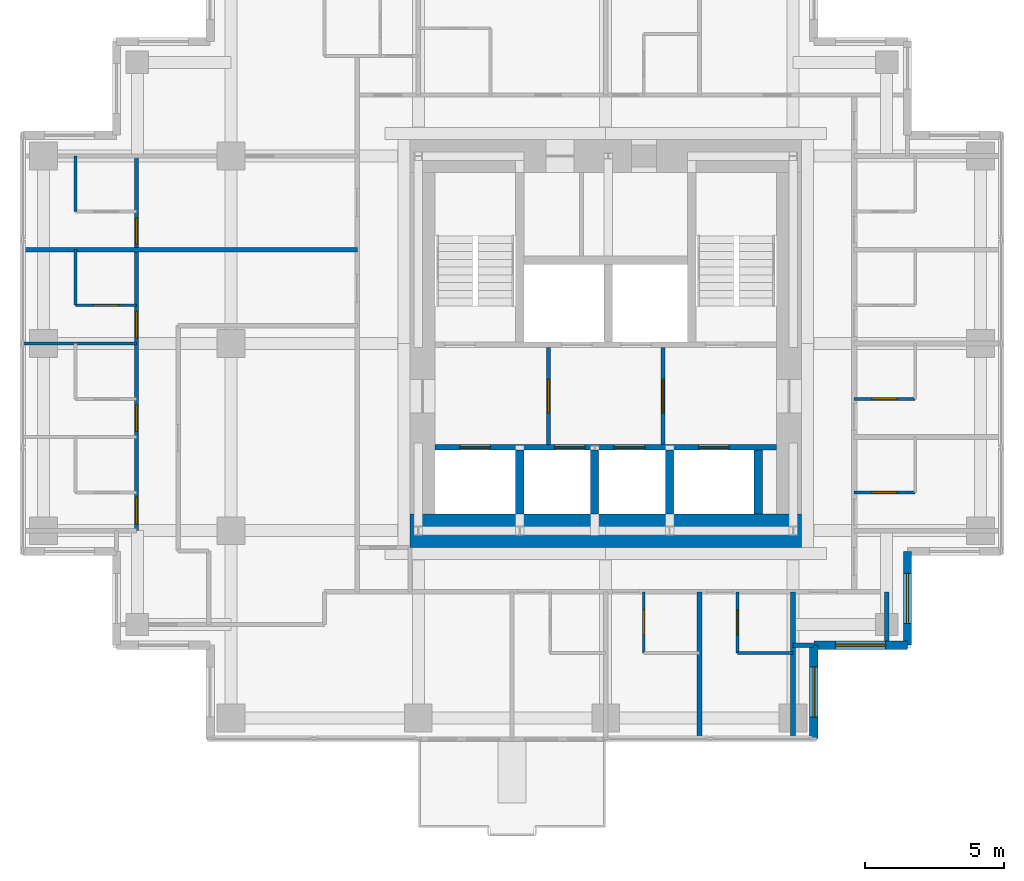
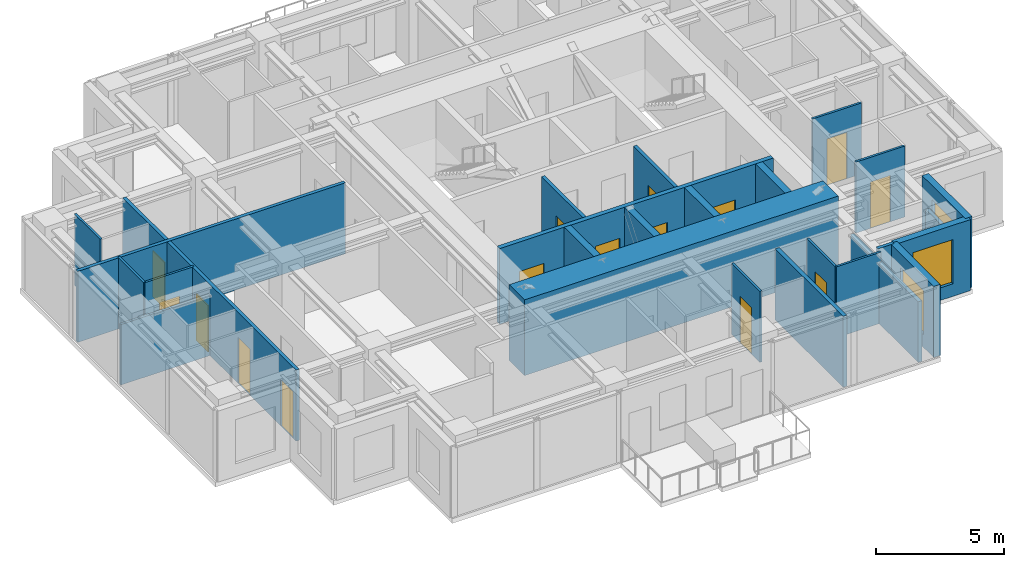
# One storey, part 4 of 8: 26 walls, 15 doors, 3 windows, 18 openings.
"""IFC4 building model written with IfcOpenShell, lengths in metres."""

from ifc_helpers import new_model, si_unit, direction, frame, frame_2d, origin, place, context, subcontext, project, spatial, rectangle, extrude, material, layer, layer_set, type_object, element, fill, save


model = new_model("IFC4")

# Units and contexts
model_context = context("Model", 3, precision=1e-05, world=origin(), true_north=direction((0.0, 1.0)))
body_context = subcontext(model_context, "Body", "Model", "MODEL_VIEW")
ifc_project = project(units=[si_unit("LENGTHUNIT", "METRE"), si_unit("AREAUNIT", "SQUARE_METRE"), si_unit("VOLUMEUNIT", "CUBIC_METRE"), si_unit("PLANEANGLEUNIT", "RADIAN"), si_unit("MASSUNIT", "GRAM", prefix="KILO")], contexts=[model_context])

# Site, building, storey
site_placement = place(None, origin())
site = spatial("IfcSite", under=ifc_project, at=site_placement, CompositionType="ELEMENT")
building_placement = place(site_placement, origin())
building = spatial("IfcBuilding", under=site, at=building_placement, Name="Nyansa Garden Tower", CompositionType="ELEMENT")
storey_placement = place(building_placement, frame((0.0, 0.0, 240.300048828125)))
storey = spatial("IfcBuildingStorey", under=building, at=storey_placement, Name="L65", CompositionType="ELEMENT", Elevation=240.300048828125)

# Walls
ifc_material_1 = material(Name="Dense blockwork, plastered both sides, 55 dB", Category="masonry")
ifc_layer_1 = layer(ifc_material_1, 0.175048828125)
ifc_layer_set_1 = layer_set([ifc_layer_1], Name="Acoustic party wall PW175")
wall_type_1 = type_object("IfcWallType", Name="Acoustic party wall PW175", PredefinedType="PARTITIONING", material=ifc_layer_set_1)
wall_1_placement = place(storey_placement, frame((23.625, 6.01611328125, 0.0), z_axis=(0.0, 0.0, 1.0), x_axis=(0.0, 1.0, 0.0)))
element("IfcWall", 1, at=wall_1_placement, inside=storey, type_object=wall_type_1, Name="Party wall", PredefinedType="PARTITIONING", context=body_context, shape_type="SweptSolid", body=[
    extrude(rectangle(XDim=5.283935546875, YDim=0.175048828125, at=frame_2d((2.64208984375, 0.0))), origin(), (0.0, 0.0, 1.0), 3.375),
])
wall_2_placement = place(storey_placement, frame((27.0, 6.01611328125, 0.0), z_axis=(0.0, 0.0, 1.0), x_axis=(0.0, 1.0, 0.0)))
element("IfcWall", 2, at=wall_2_placement, inside=storey, type_object=wall_type_1, Name="Party wall", PredefinedType="PARTITIONING", context=body_context, shape_type="SweptSolid", body=[
    extrude(rectangle(XDim=5.283935546875, YDim=0.175048828125, at=frame_2d((2.64208984375, 0.0))), origin(), (0.0, 0.0, 1.0), 2.876953125),
])

# Wall, openings, doors
ifc_material_2 = material(Name="Concrete C70/85", Category="concrete")
ifc_layer_2 = layer(ifc_material_2, 0.199951171875)
ifc_layer_set_2 = layer_set([ifc_layer_2], Name="Core inner wall CI200")
wall_type_2 = type_object("IfcWallType", Name="Core inner wall CI200", PredefinedType="SHEAR", material=ifc_layer_set_2)
wall_3_placement = place(storey_placement, frame((14.10009765625, 16.5, 0.0), z_axis=(0.0, 0.0, 1.0), x_axis=(1.0, 0.0, 0.0)))
wall_3 = element("IfcWall", 3, at=wall_3_placement, inside=storey, type_object=wall_type_2, Name="Core inner wall L65", PredefinedType="SHEAR", context=body_context, shape_type="SweptSolid", body=[
    extrude(rectangle(XDim=12.2998046875, YDim=0.199951171875, at=frame_2d((6.14990234375, 0.0))), origin(), (0.0, 0.0, 1.0), 3.599853515625),
])
opening_1_placement = place(wall_3_placement, frame((0.89990234375, 0.0, 0.0)))
opening_1 = element("IfcOpeningElement", 4, at=opening_1_placement, cuts=wall_3, Name="Opening LD-F", PredefinedType="OPENING", context=body_context, shape_type="SweptSolid", body=[
    extrude(rectangle(XDim=1.10009765625, YDim=2.199951171875, at=frame_2d((0.550048828125, 1.10009765625))), frame((0.0, 0.10986328125, 0.0), z_axis=(0.0, -1.0, 0.0), x_axis=(1.0, 0.0, 0.0)), (0.0, 0.0, 1.0), 0.219970703125),
])
opening_2_placement = place(wall_3_placement, frame((4.31005859375, 0.0, 0.0)))
opening_2 = element("IfcOpeningElement", 5, at=opening_2_placement, cuts=wall_3, Name="Opening LD-B", PredefinedType="OPENING", context=body_context, shape_type="SweptSolid", body=[
    extrude(rectangle(XDim=1.10009765625, YDim=2.199951171875, at=frame_2d((0.550048828125, 1.10009765625))), frame((0.0, 0.10986328125, 0.0), z_axis=(0.0, -1.0, 0.0), x_axis=(1.0, 0.0, 0.0)), (0.0, 0.0, 1.0), 0.219970703125),
])
opening_3_placement = place(wall_3_placement, frame((6.449951171875, 0.0, 0.0)))
opening_3 = element("IfcOpeningElement", 6, at=opening_3_placement, cuts=wall_3, Name="Opening LD-B", PredefinedType="OPENING", context=body_context, shape_type="SweptSolid", body=[
    extrude(rectangle(XDim=1.10009765625, YDim=2.199951171875, at=frame_2d((0.550048828125, 1.10009765625))), frame((0.0, 0.10986328125, 0.0), z_axis=(0.0, -1.0, 0.0), x_axis=(1.0, 0.0, 0.0)), (0.0, 0.0, 1.0), 0.219970703125),
])
opening_4_placement = place(wall_3_placement, frame((9.5, 0.0, 0.0)))
opening_4 = element("IfcOpeningElement", 7, at=opening_4_placement, cuts=wall_3, Name="Opening LD-F", PredefinedType="OPENING", context=body_context, shape_type="SweptSolid", body=[
    extrude(rectangle(XDim=1.10009765625, YDim=2.199951171875, at=frame_2d((0.550048828125, 1.10009765625))), frame((0.0, 0.10986328125, 0.0), z_axis=(0.0, -1.0, 0.0), x_axis=(1.0, 0.0, 0.0)), (0.0, 0.0, 1.0), 0.219970703125),
])
ifc_material_3 = material(Name="Stainless steel centre-opening landing door of the high-rise lift, E 120", Category="steel")
door_type_1 = type_object("IfcDoorType", Name="Lift landing door LD-B 1100x2200", OperationType="DOUBLE_DOOR_SLIDING", PredefinedType="DOOR", material=ifc_material_3)
door_1_placement = place(opening_2_placement, origin())
door_1 = element("IfcDoor", 8, at=door_1_placement, inside=storey, type_object=door_type_1, Name="Landing door B1", OperationType="DOUBLE_DOOR_SLIDING", OverallHeight=2.199951171875, OverallWidth=1.10009765625, PredefinedType="DOOR", context=body_context, shape_type="SweptSolid", body=[
    extrude(rectangle(XDim=1.10009765625, YDim=2.199951171875, at=frame_2d((0.550048828125, 1.10009765625))), frame((0.0, 0.02490234375, 0.0), z_axis=(0.0, -1.0, 0.0), x_axis=(1.0, 0.0, 0.0)), (0.0, 0.0, 1.0), 0.050048828125),
])
fill(opening_2, door_1)
door_2_placement = place(opening_3_placement, origin())
door_2 = element("IfcDoor", 9, at=door_2_placement, inside=storey, type_object=door_type_1, Name="Landing door B2", OperationType="DOUBLE_DOOR_SLIDING", OverallHeight=2.199951171875, OverallWidth=1.10009765625, PredefinedType="DOOR", context=body_context, shape_type="SweptSolid", body=[
    extrude(rectangle(XDim=1.10009765625, YDim=2.199951171875, at=frame_2d((0.550048828125, 1.10009765625))), frame((0.0, 0.02490234375, 0.0), z_axis=(0.0, -1.0, 0.0), x_axis=(1.0, 0.0, 0.0)), (0.0, 0.0, 1.0), 0.050048828125),
])
fill(opening_3, door_2)
ifc_material_4 = material(Name="Stainless steel centre-opening landing door of the firefighting lift, EN 81-72, E 120", Category="steel")
door_type_2 = type_object("IfcDoorType", Name="Lift landing door LD-F 1100x2200", OperationType="DOUBLE_DOOR_SLIDING", PredefinedType="DOOR", material=ifc_material_4)
door_3_placement = place(opening_1_placement, origin())
door_3 = element("IfcDoor", 10, at=door_3_placement, inside=storey, type_object=door_type_2, Name="Landing door FF1", OperationType="DOUBLE_DOOR_SLIDING", OverallHeight=2.199951171875, OverallWidth=1.10009765625, PredefinedType="DOOR", context=body_context, shape_type="SweptSolid", body=[
    extrude(rectangle(XDim=1.10009765625, YDim=2.199951171875, at=frame_2d((0.550048828125, 1.10009765625))), frame((0.0, 0.02490234375, 0.0), z_axis=(0.0, -1.0, 0.0), x_axis=(1.0, 0.0, 0.0)), (0.0, 0.0, 1.0), 0.050048828125),
])
fill(opening_1, door_3)
door_4_placement = place(opening_4_placement, origin())
door_4 = element("IfcDoor", 11, at=door_4_placement, inside=storey, type_object=door_type_2, Name="Landing door FF2", OperationType="DOUBLE_DOOR_SLIDING", OverallHeight=2.199951171875, OverallWidth=1.10009765625, PredefinedType="DOOR", context=body_context, shape_type="SweptSolid", body=[
    extrude(rectangle(XDim=1.10009765625, YDim=2.199951171875, at=frame_2d((0.550048828125, 1.10009765625))), frame((0.0, 0.02490234375, 0.0), z_axis=(0.0, -1.0, 0.0), x_axis=(1.0, 0.0, 0.0)), (0.0, 0.0, 1.0), 0.050048828125),
])
fill(opening_4, door_4)

# Walls
ifc_material_5 = material(Name="Concrete C70/85", Category="concrete")
ifc_layer_3 = layer(ifc_material_5, 0.300048828125)
ifc_layer_set_3 = layer_set([ifc_layer_3], Name="Core inner wall CI300")
wall_type_3 = type_object("IfcWallType", Name="Core inner wall CI300", PredefinedType="SHEAR", material=ifc_layer_set_3)
for number, where, z_axis, x_axis, name in (
    (12, (17.14990234375, 14.10009765625, 0.0), (0.0, 0.0, 1.0), (0.0, 1.0, 0.0), "Core inner wall L65"),
    (13, (19.85009765625, 14.10009765625, 0.0), (0.0, 0.0, 1.0), (0.0, 1.0, 0.0), "Core inner wall L65"),
    (14, (22.550048828125, 14.10009765625, 0.0), (0.0, 0.0, 1.0), (0.0, 1.0, 0.0), "Core inner wall L65"),
    (15, (25.75, 14.10009765625, 0.0), (0.0, 0.0, 1.0), (0.0, 1.0, 0.0), "Core inner wall L65"),
):
    element("IfcWall", number, at=place(storey_placement, frame(where, z_axis=z_axis, x_axis=x_axis)), inside=storey, type_object=wall_type_3, Name=name, PredefinedType="SHEAR", context=body_context, shape_type="SweptSolid", body=[
        extrude(rectangle(XDim=2.2998046875, YDim=0.300048828125, at=frame_2d((1.14990234375, 0.0))), origin(), (0.0, 0.0, 1.0), 3.599853515625),
    ])
ifc_material_6 = material(Name="Concrete C80/95", Category="concrete")
ifc_layer_4 = layer(ifc_material_6, 1.199951171875)
ifc_layer_set_4 = layer_set([ifc_layer_4], Name="Core wall CW1200")
wall_type_4 = type_object("IfcWallType", Name="Core wall CW1200", PredefinedType="SHEAR", material=ifc_layer_set_4)
wall_4_placement = place(storey_placement, frame((13.199951171875, 13.5, 0.0), z_axis=(0.0, 0.0, 1.0), x_axis=(1.0, 0.0, 0.0)))
element("IfcWall", 16, at=wall_4_placement, inside=storey, type_object=wall_type_4, Name="Core wall S L65", PredefinedType="SHEAR", context=body_context, shape_type="SweptSolid", body=[
    extrude(rectangle(XDim=14.10009765625, YDim=1.199951171875, at=frame_2d((7.050048828125, 0.0))), origin(), (0.0, 0.0, 1.0), 3.599853515625),
])

# Wall, opening, door
ifc_material_7 = material(Name="Blockwork, plastered both sides", Category="masonry")
ifc_layer_5 = layer(ifc_material_7, 0.14990234375)
ifc_layer_set_5 = layer_set([ifc_layer_5], Name="Partition PW150")
wall_type_5 = type_object("IfcWallType", Name="Partition PW150", PredefinedType="PARTITIONING", material=ifc_layer_set_5)
wall_5_placement = place(storey_placement, frame((18.18505859375, 16.60009765625, 0.0), z_axis=(0.0, 0.0, 1.0), x_axis=(0.0, 1.0, 0.0)))
wall_5 = element("IfcWall", 17, at=wall_5_placement, inside=storey, type_object=wall_type_5, Name="Partition", PredefinedType="PARTITIONING", context=body_context, shape_type="SweptSolid", body=[
    extrude(rectangle(XDim=3.5, YDim=0.14990234375, at=frame_2d((1.75, 0.0))), origin(), (0.0, 0.0, 1.0), 3.375),
])
opening_5_placement = place(wall_5_placement, frame((1.14990234375, 0.0, 0.0)))
opening_5 = element("IfcOpeningElement", 18, at=opening_5_placement, cuts=wall_5, Name="Opening D06", PredefinedType="OPENING", context=body_context, shape_type="SweptSolid", body=[
    extrude(rectangle(XDim=1.199951171875, YDim=2.199951171875, at=frame_2d((0.60009765625, 1.10009765625))), frame((0.0, 0.0849609375, 0.0), z_axis=(0.0, -1.0, 0.0), x_axis=(1.0, 0.0, 0.0)), (0.0, 0.0, 1.0), 0.169921875),
])
ifc_material_8 = material(Name="Steel door, 120 minute fire resisting", Category="steel")
door_type_3 = type_object("IfcDoorType", Name="Lobby door D06 1200x2200", OperationType="DOUBLE_DOOR_SINGLE_SWING", PredefinedType="DOOR", material=ifc_material_8)
door_5_placement = place(opening_5_placement, origin())
door_5 = element("IfcDoor", 19, at=door_5_placement, inside=storey, type_object=door_type_3, Name="Passenger lift lobby door", OperationType="DOUBLE_DOOR_SINGLE_SWING", OverallHeight=2.199951171875, OverallWidth=1.199951171875, PredefinedType="DOOR", context=body_context, shape_type="SweptSolid", body=[
    extrude(rectangle(XDim=1.199951171875, YDim=2.199951171875, at=frame_2d((0.60009765625, 1.10009765625))), frame((0.0, 0.02490234375, 0.0), z_axis=(0.0, -1.0, 0.0), x_axis=(1.0, 0.0, 0.0)), (0.0, 0.0, 1.0), 0.050048828125),
])
fill(opening_5, door_5)

wall_6_placement = place(storey_placement, frame((22.31494140625, 16.60009765625, 0.0), z_axis=(0.0, 0.0, 1.0), x_axis=(0.0, 1.0, 0.0)))
wall_6 = element("IfcWall", 20, at=wall_6_placement, inside=storey, type_object=wall_type_5, Name="Partition", PredefinedType="PARTITIONING", context=body_context, shape_type="SweptSolid", body=[
    extrude(rectangle(XDim=3.5, YDim=0.14990234375, at=frame_2d((1.75, 0.0))), origin(), (0.0, 0.0, 1.0), 3.375),
])
opening_6_placement = place(wall_6_placement, frame((1.14990234375, 0.0, 0.0)))
opening_6 = element("IfcOpeningElement", 21, at=opening_6_placement, cuts=wall_6, Name="Opening D06", PredefinedType="OPENING", context=body_context, shape_type="SweptSolid", body=[
    extrude(rectangle(XDim=1.199951171875, YDim=2.199951171875, at=frame_2d((0.60009765625, 1.10009765625))), frame((0.0, 0.0849609375, 0.0), z_axis=(0.0, -1.0, 0.0), x_axis=(1.0, 0.0, 0.0)), (0.0, 0.0, 1.0), 0.169921875),
])
door_6_placement = place(opening_6_placement, origin())
door_6 = element("IfcDoor", 22, at=door_6_placement, inside=storey, type_object=door_type_3, Name="Passenger lift lobby door", OperationType="DOUBLE_DOOR_SINGLE_SWING", OverallHeight=2.199951171875, OverallWidth=1.199951171875, PredefinedType="DOOR", context=body_context, shape_type="SweptSolid", body=[
    extrude(rectangle(XDim=1.199951171875, YDim=2.199951171875, at=frame_2d((0.60009765625, 1.10009765625))), frame((0.0, 0.02490234375, 0.0), z_axis=(0.0, -1.0, 0.0), x_axis=(1.0, 0.0, 0.0)), (0.0, 0.0, 1.0), 0.050048828125),
])
fill(opening_6, door_6)

# Wall
wall_7_placement = place(storey_placement, frame((-0.73388671875, 23.625, 0.0), z_axis=(0.0, 0.0, 1.0), x_axis=(1.0, 0.0, 0.0)))
element("IfcWall", 23, at=wall_7_placement, inside=storey, type_object=wall_type_5, Name="Partition", PredefinedType="PARTITIONING", context=body_context, shape_type="SweptSolid", body=[
    extrude(rectangle(XDim=12.033935546875, YDim=0.14990234375, at=frame_2d((6.01708984375, 0.0))), origin(), (0.0, 0.0, 1.0), 3.375),
])

# Wall, openings, doors
wall_8_placement = place(storey_placement, frame((3.35009765625, 13.5, 0.0), z_axis=(0.0, 0.0, 1.0), x_axis=(0.0, 1.0, 0.0)))
wall_8 = element("IfcWall", 24, at=wall_8_placement, inside=storey, type_object=wall_type_5, Name="Partition", PredefinedType="PARTITIONING", context=body_context, shape_type="SweptSolid", body=[
    extrude(rectangle(XDim=13.5, YDim=0.14990234375, at=frame_2d((6.75, 0.0))), origin(), (0.0, 0.0, 1.0), 3.375),
])
opening_7_placement = place(wall_8_placement, frame((10.324951171875, 0.0, 0.0)))
opening_7 = element("IfcOpeningElement", 25, at=opening_7_placement, cuts=wall_8, Name="Opening D01", PredefinedType="OPENING", context=body_context, shape_type="SweptSolid", body=[
    extrude(rectangle(XDim=0.949951171875, YDim=2.199951171875, at=frame_2d((0.47509765625, 1.10009765625))), frame((0.0, 0.0849609375, 0.0), z_axis=(0.0, -1.0, 0.0), x_axis=(1.0, 0.0, 0.0)), (0.0, 0.0, 1.0), 0.169921875),
])
opening_8_placement = place(wall_8_placement, frame((0.25, 0.0, 0.0)))
opening_8 = element("IfcOpeningElement", 26, at=opening_8_placement, cuts=wall_8, Name="Opening D14", PredefinedType="OPENING", context=body_context, shape_type="SweptSolid", body=[
    extrude(rectangle(XDim=0.949951171875, YDim=2.199951171875, at=frame_2d((0.47509765625, 1.10009765625))), frame((0.0, 0.0849609375, 0.0), z_axis=(0.0, -1.0, 0.0), x_axis=(1.0, 0.0, 0.0)), (0.0, 0.0, 1.0), 0.169921875),
])
opening_9_placement = place(wall_8_placement, frame((3.574951171875, 0.0, 0.0)))
opening_9 = element("IfcOpeningElement", 27, at=opening_9_placement, cuts=wall_8, Name="Opening D14", PredefinedType="OPENING", context=body_context, shape_type="SweptSolid", body=[
    extrude(rectangle(XDim=0.949951171875, YDim=2.199951171875, at=frame_2d((0.47509765625, 1.10009765625))), frame((0.0, 0.0849609375, 0.0), z_axis=(0.0, -1.0, 0.0), x_axis=(1.0, 0.0, 0.0)), (0.0, 0.0, 1.0), 0.169921875),
])
opening_10_placement = place(wall_8_placement, frame((6.949951171875, 0.0, 0.0)))
opening_10 = element("IfcOpeningElement", 28, at=opening_10_placement, cuts=wall_8, Name="Opening D14", PredefinedType="OPENING", context=body_context, shape_type="SweptSolid", body=[
    extrude(rectangle(XDim=0.949951171875, YDim=2.199951171875, at=frame_2d((0.47509765625, 1.10009765625))), frame((0.0, 0.0849609375, 0.0), z_axis=(0.0, -1.0, 0.0), x_axis=(1.0, 0.0, 0.0)), (0.0, 0.0, 1.0), 0.169921875),
])
ifc_material_9 = material(Name="Timber flush door, 30 minute fire resisting", Category="wood")
door_type_4 = type_object("IfcDoorType", Name="Bedroom door D01 950x2200", OperationType="SINGLE_SWING_LEFT", PredefinedType="DOOR", material=ifc_material_9)
door_7_placement = place(opening_7_placement, origin())
door_7 = element("IfcDoor", 29, at=door_7_placement, inside=storey, type_object=door_type_4, Name="Door L65-044", OperationType="SINGLE_SWING_LEFT", OverallHeight=2.199951171875, OverallWidth=0.949951171875, PredefinedType="DOOR", context=body_context, shape_type="SweptSolid", body=[
    extrude(rectangle(XDim=0.949951171875, YDim=2.199951171875, at=frame_2d((0.47509765625, 1.10009765625))), frame((0.0, 0.02490234375, 0.0), z_axis=(0.0, -1.0, 0.0), x_axis=(1.0, 0.0, 0.0)), (0.0, 0.0, 1.0), 0.050048828125),
])
fill(opening_7, door_7)
ifc_material_10 = material(Name="Timber flush door, 60 minute fire resisting, self-closing", Category="wood")
door_type_5 = type_object("IfcDoorType", Name="Studio entrance door D14 950x2200", OperationType="SINGLE_SWING_LEFT", PredefinedType="DOOR", material=ifc_material_10)
door_8_placement = place(opening_8_placement, origin())
door_8 = element("IfcDoor", 30, at=door_8_placement, inside=storey, type_object=door_type_5, Name="Door L65-047", OperationType="SINGLE_SWING_LEFT", OverallHeight=2.199951171875, OverallWidth=0.949951171875, PredefinedType="DOOR", context=body_context, shape_type="SweptSolid", body=[
    extrude(rectangle(XDim=0.949951171875, YDim=2.199951171875, at=frame_2d((0.47509765625, 1.10009765625))), frame((0.0, 0.02490234375, 0.0), z_axis=(0.0, -1.0, 0.0), x_axis=(1.0, 0.0, 0.0)), (0.0, 0.0, 1.0), 0.050048828125),
])
fill(opening_8, door_8)
door_9_placement = place(opening_9_placement, origin())
door_9 = element("IfcDoor", 31, at=door_9_placement, inside=storey, type_object=door_type_5, Name="Door L65-049", OperationType="SINGLE_SWING_LEFT", OverallHeight=2.199951171875, OverallWidth=0.949951171875, PredefinedType="DOOR", context=body_context, shape_type="SweptSolid", body=[
    extrude(rectangle(XDim=0.949951171875, YDim=2.199951171875, at=frame_2d((0.47509765625, 1.10009765625))), frame((0.0, 0.02490234375, 0.0), z_axis=(0.0, -1.0, 0.0), x_axis=(1.0, 0.0, 0.0)), (0.0, 0.0, 1.0), 0.050048828125),
])
fill(opening_9, door_9)
door_10_placement = place(opening_10_placement, origin())
door_10 = element("IfcDoor", 32, at=door_10_placement, inside=storey, type_object=door_type_5, Name="Door L65-051", OperationType="SINGLE_SWING_LEFT", OverallHeight=2.199951171875, OverallWidth=0.949951171875, PredefinedType="DOOR", context=body_context, shape_type="SweptSolid", body=[
    extrude(rectangle(XDim=0.949951171875, YDim=2.199951171875, at=frame_2d((0.47509765625, 1.10009765625))), frame((0.0, 0.02490234375, 0.0), z_axis=(0.0, -1.0, 0.0), x_axis=(1.0, 0.0, 0.0)), (0.0, 0.0, 1.0), 0.050048828125),
])
fill(opening_10, door_10)

# Walls
wall_9_placement = place(storey_placement, frame((27.0, 9.375, 0.0), z_axis=(0.0, 0.0, 1.0), x_axis=(1.0, 0.0, 0.0)))
element("IfcWall", 33, at=wall_9_placement, inside=storey, type_object=wall_type_5, Name="Partition", PredefinedType="PARTITIONING", context=body_context, shape_type="SweptSolid", body=[
    extrude(rectangle(XDim=0.73388671875, YDim=0.14990234375, at=frame_2d((0.366943359375, 0.0))), origin(), (0.0, 0.0, 1.0), 3.375),
])
wall_10_placement = place(storey_placement, frame((30.375, 9.52490234375, 0.0), z_axis=(0.0, 0.0, 1.0), x_axis=(0.0, 1.0, 0.0)))
element("IfcWall", 34, at=wall_10_placement, inside=storey, type_object=wall_type_5, Name="Partition", PredefinedType="PARTITIONING", context=body_context, shape_type="SweptSolid", body=[
    extrude(rectangle(XDim=1.775146484375, YDim=0.14990234375, at=frame_2d((0.8876953125, 0.0))), origin(), (0.0, 0.0, 1.0), 2.876953125),
])

# Wall, opening, window
ifc_material_11 = material(Name="Turquoise glazed tile on concrete blockwork", Category="masonry")
ifc_layer_6 = layer(ifc_material_11, 0.300048828125)
ifc_layer_set_6 = layer_set([ifc_layer_6], Name="Tiled corner wall TW300")
wall_type_6 = type_object("IfcWallType", Name="Tiled corner wall TW300", PredefinedType="SOLIDWALL", material=ifc_layer_set_6)
wall_11_placement = place(storey_placement, frame((27.75, 6.0, 0.0), z_axis=(0.0, 0.0, 1.0), x_axis=(0.0, 1.0, 0.0)))
wall_11 = element("IfcWall", 35, at=wall_11_placement, inside=storey, type_object=wall_type_6, Name="Tiled corner wall L65", PredefinedType="SOLIDWALL", context=body_context, shape_type="SweptSolid", body=[
    extrude(rectangle(XDim=3.375, YDim=0.300048828125, at=frame_2d((1.6875, 0.0))), origin(), (0.0, 0.0, 1.0), 3.375),
])
opening_11_placement = place(wall_11_placement, frame((0.78759765625, 0.0, 0.60009765625)))
opening_11 = element("IfcOpeningElement", 36, at=opening_11_placement, cuts=wall_11, Name="Opening W2", PredefinedType="OPENING", context=body_context, shape_type="SweptSolid", body=[
    extrude(rectangle(XDim=1.800048828125, YDim=2.10009765625, at=frame_2d((0.89990234375, 1.050048828125))), frame((0.0, 0.159912109375, 0.0), z_axis=(0.0, -1.0, 0.0), x_axis=(1.0, 0.0, 0.0)), (0.0, 0.0, 1.0), 0.320068359375),
])
ifc_material_12 = material(Name="Black aluminium frame, dark tinted double glazing", Category="aluminium")
window_type = type_object("IfcWindowType", Name="Window W2 1800x2100", PartitioningType="SINGLE_PANEL", PredefinedType="WINDOW", material=ifc_material_12)
window_1_placement = place(opening_11_placement, origin())
window_1 = element("IfcWindow", 37, at=window_1_placement, inside=storey, type_object=window_type, Name="Corner window L65", OverallHeight=2.10009765625, OverallWidth=1.800048828125, PartitioningType="SINGLE_PANEL", PredefinedType="WINDOW", context=body_context, shape_type="SweptSolid", body=[
    extrude(rectangle(XDim=1.800048828125, YDim=2.10009765625, at=frame_2d((0.89990234375, 1.050048828125))), frame((0.0, 0.030029296875, 0.0), z_axis=(0.0, -1.0, 0.0), x_axis=(1.0, 0.0, 0.0)), (0.0, 0.0, 1.0), 0.06005859375),
])
fill(opening_11, window_1)

wall_12_placement = place(storey_placement, frame((27.75, 9.375, 0.0), z_axis=(0.0, 0.0, 1.0), x_axis=(1.0, 0.0, 0.0)))
wall_12 = element("IfcWall", 38, at=wall_12_placement, inside=storey, type_object=wall_type_6, Name="Tiled corner wall L65", PredefinedType="SOLIDWALL", context=body_context, shape_type="SweptSolid", body=[
    extrude(rectangle(XDim=3.375, YDim=0.300048828125, at=frame_2d((1.6875, 0.0))), origin(), (0.0, 0.0, 1.0), 3.375),
])
opening_12_placement = place(wall_12_placement, frame((0.78759765625, 0.0, 0.60009765625)))
opening_12 = element("IfcOpeningElement", 39, at=opening_12_placement, cuts=wall_12, Name="Opening W2", PredefinedType="OPENING", context=body_context, shape_type="SweptSolid", body=[
    extrude(rectangle(XDim=1.800048828125, YDim=2.10009765625, at=frame_2d((0.89990234375, 1.050048828125))), frame((0.0, 0.159912109375, 0.0), z_axis=(0.0, -1.0, 0.0), x_axis=(1.0, 0.0, 0.0)), (0.0, 0.0, 1.0), 0.320068359375),
])
window_2_placement = place(opening_12_placement, origin())
window_2 = element("IfcWindow", 40, at=window_2_placement, inside=storey, type_object=window_type, Name="Corner window L65", OverallHeight=2.10009765625, OverallWidth=1.800048828125, PartitioningType="SINGLE_PANEL", PredefinedType="WINDOW", context=body_context, shape_type="SweptSolid", body=[
    extrude(rectangle(XDim=1.800048828125, YDim=2.10009765625, at=frame_2d((0.89990234375, 1.050048828125))), frame((0.0, 0.030029296875, 0.0), z_axis=(0.0, -1.0, 0.0), x_axis=(1.0, 0.0, 0.0)), (0.0, 0.0, 1.0), 0.06005859375),
])
fill(opening_12, window_2)

wall_13_placement = place(storey_placement, frame((31.125, 9.375, 0.0), z_axis=(0.0, 0.0, 1.0), x_axis=(0.0, 1.0, 0.0)))
wall_13 = element("IfcWall", 41, at=wall_13_placement, inside=storey, type_object=wall_type_6, Name="Tiled corner wall L65", PredefinedType="SOLIDWALL", context=body_context, shape_type="SweptSolid", body=[
    extrude(rectangle(XDim=3.375, YDim=0.300048828125, at=frame_2d((1.6875, 0.0))), origin(), (0.0, 0.0, 1.0), 3.375),
])
opening_13_placement = place(wall_13_placement, frame((0.78759765625, 0.0, 0.60009765625)))
opening_13 = element("IfcOpeningElement", 42, at=opening_13_placement, cuts=wall_13, Name="Opening W2", PredefinedType="OPENING", context=body_context, shape_type="SweptSolid", body=[
    extrude(rectangle(XDim=1.800048828125, YDim=2.10009765625, at=frame_2d((0.89990234375, 1.050048828125))), frame((0.0, 0.159912109375, 0.0), z_axis=(0.0, -1.0, 0.0), x_axis=(1.0, 0.0, 0.0)), (0.0, 0.0, 1.0), 0.320068359375),
])
window_3_placement = place(opening_13_placement, origin())
window_3 = element("IfcWindow", 43, at=window_3_placement, inside=storey, type_object=window_type, Name="Corner window L65", OverallHeight=2.10009765625, OverallWidth=1.800048828125, PartitioningType="SINGLE_PANEL", PredefinedType="WINDOW", context=body_context, shape_type="SweptSolid", body=[
    extrude(rectangle(XDim=1.800048828125, YDim=2.10009765625, at=frame_2d((0.89990234375, 1.050048828125))), frame((0.0, 0.030029296875, 0.0), z_axis=(0.0, -1.0, 0.0), x_axis=(1.0, 0.0, 0.0)), (0.0, 0.0, 1.0), 0.06005859375),
])
fill(opening_13, window_3)

# Walls
ifc_material_13 = material(Name="Moisture resistant board on steel studs, tiled", Category="steel")
ifc_layer_7 = layer(ifc_material_13, 0.10009765625)
ifc_layer_set_7 = layer_set([ifc_layer_7], Name="Wet wall PW100")
wall_type_7 = type_object("IfcWallType", Name="Wet wall PW100", PredefinedType="PARTITIONING", material=ifc_layer_set_7)
wall_14_placement = place(storey_placement, frame((-0.73388671875, 20.25, 0.0), z_axis=(0.0, 0.0, 1.0), x_axis=(1.0, 0.0, 0.0)))
element("IfcWall", 44, at=wall_14_placement, inside=storey, type_object=wall_type_7, Name="Wet wall", PredefinedType="PARTITIONING", context=body_context, shape_type="SweptSolid", body=[
    extrude(rectangle(XDim=4.083984375, YDim=0.10009765625, at=frame_2d((2.0419921875, 0.0))), origin(), (0.0, 0.0, 1.0), 2.876953125),
])
wall_15_placement = place(storey_placement, frame((1.14990234375, 21.625, 0.0), z_axis=(0.0, 0.0, 1.0), x_axis=(0.0, 1.0, 0.0)))
element("IfcWall", 45, at=wall_15_placement, inside=storey, type_object=wall_type_7, Name="Wet wall", PredefinedType="PARTITIONING", context=body_context, shape_type="SweptSolid", body=[
    extrude(rectangle(XDim=2.0, YDim=0.10009765625, at=frame_2d((1.0, 0.0))), origin(), (0.0, 0.0, 1.0), 3.375),
])

# Wall, opening, door
wall_16_placement = place(storey_placement, frame((1.14990234375, 21.625, 0.0), z_axis=(0.0, 0.0, 1.0), x_axis=(1.0, 0.0, 0.0)))
wall_16 = element("IfcWall", 46, at=wall_16_placement, inside=storey, type_object=wall_type_7, Name="Wet wall", PredefinedType="PARTITIONING", context=body_context, shape_type="SweptSolid", body=[
    extrude(rectangle(XDim=2.2001953125, YDim=0.10009765625, at=frame_2d((1.10009765625, 0.0))), origin(), (0.0, 0.0, 1.0), 3.375),
])
opening_14_placement = place(wall_16_placement, frame((0.64990234375, 0.0, 0.0)))
opening_14 = element("IfcOpeningElement", 47, at=opening_14_placement, cuts=wall_16, Name="Opening D02", PredefinedType="OPENING", context=body_context, shape_type="SweptSolid", body=[
    extrude(rectangle(XDim=0.89990234375, YDim=2.199951171875, at=frame_2d((0.449951171875, 1.10009765625))), frame((0.0, 0.06005859375, 0.0), z_axis=(0.0, -1.0, 0.0), x_axis=(1.0, 0.0, 0.0)), (0.0, 0.0, 1.0), 0.1201171875),
])
ifc_material_14 = material(Name="Timber flush door", Category="wood")
door_type_6 = type_object("IfcDoorType", Name="En-suite door D02 900x2200", OperationType="SINGLE_SWING_RIGHT", PredefinedType="DOOR", material=ifc_material_14)
door_11_placement = place(opening_14_placement, origin())
door_11 = element("IfcDoor", 48, at=door_11_placement, inside=storey, type_object=door_type_6, Name="Door L65-052", OperationType="SINGLE_SWING_RIGHT", OverallHeight=2.199951171875, OverallWidth=0.89990234375, PredefinedType="DOOR", context=body_context, shape_type="SweptSolid", body=[
    extrude(rectangle(XDim=0.89990234375, YDim=2.199951171875, at=frame_2d((0.449951171875, 1.10009765625))), frame((0.0, 0.02490234375, 0.0), z_axis=(0.0, -1.0, 0.0), x_axis=(1.0, 0.0, 0.0)), (0.0, 0.0, 1.0), 0.050048828125),
])
fill(opening_14, door_11)

# Wall
wall_17_placement = place(storey_placement, frame((1.14990234375, 25.0, 0.0), z_axis=(0.0, 0.0, 1.0), x_axis=(0.0, 1.0, 0.0)))
element("IfcWall", 49, at=wall_17_placement, inside=storey, type_object=wall_type_7, Name="Wet wall", PredefinedType="PARTITIONING", context=body_context, shape_type="SweptSolid", body=[
    extrude(rectangle(XDim=2.0, YDim=0.10009765625, at=frame_2d((1.0, 0.0))), origin(), (0.0, 0.0, 1.0), 3.375),
])

# Wall, opening, door
wall_18_placement = place(storey_placement, frame((21.625, 9.10009765625, 0.0), z_axis=(0.0, 0.0, 1.0), x_axis=(0.0, 1.0, 0.0)))
wall_18 = element("IfcWall", 50, at=wall_18_placement, inside=storey, type_object=wall_type_7, Name="Wet wall", PredefinedType="PARTITIONING", context=body_context, shape_type="SweptSolid", body=[
    extrude(rectangle(XDim=2.199951171875, YDim=0.10009765625, at=frame_2d((1.10009765625, 0.0))), origin(), (0.0, 0.0, 1.0), 3.375),
])
opening_15_placement = place(wall_18_placement, frame((0.64990234375, 0.0, 0.0)))
opening_15 = element("IfcOpeningElement", 51, at=opening_15_placement, cuts=wall_18, Name="Opening D02", PredefinedType="OPENING", context=body_context, shape_type="SweptSolid", body=[
    extrude(rectangle(XDim=0.89990234375, YDim=2.199951171875, at=frame_2d((0.449951171875, 1.10009765625))), frame((0.0, 0.06005859375, 0.0), z_axis=(0.0, -1.0, 0.0), x_axis=(1.0, 0.0, 0.0)), (0.0, 0.0, 1.0), 0.1201171875),
])
door_12_placement = place(opening_15_placement, origin())
door_12 = element("IfcDoor", 52, at=door_12_placement, inside=storey, type_object=door_type_6, Name="Door L65-021", OperationType="SINGLE_SWING_RIGHT", OverallHeight=2.199951171875, OverallWidth=0.89990234375, PredefinedType="DOOR", context=body_context, shape_type="SweptSolid", body=[
    extrude(rectangle(XDim=0.89990234375, YDim=2.199951171875, at=frame_2d((0.449951171875, 1.10009765625))), frame((0.0, 0.02490234375, 0.0), z_axis=(0.0, -1.0, 0.0), x_axis=(1.0, 0.0, 0.0)), (0.0, 0.0, 1.0), 0.050048828125),
])
fill(opening_15, door_12)

wall_19_placement = place(storey_placement, frame((25.0, 9.10009765625, 0.0), z_axis=(0.0, 0.0, 1.0), x_axis=(0.0, 1.0, 0.0)))
wall_19 = element("IfcWall", 53, at=wall_19_placement, inside=storey, type_object=wall_type_7, Name="Wet wall", PredefinedType="PARTITIONING", context=body_context, shape_type="SweptSolid", body=[
    extrude(rectangle(XDim=2.199951171875, YDim=0.10009765625, at=frame_2d((1.10009765625, 0.0))), origin(), (0.0, 0.0, 1.0), 3.375),
])
opening_16_placement = place(wall_19_placement, frame((0.64990234375, 0.0, 0.0)))
opening_16 = element("IfcOpeningElement", 54, at=opening_16_placement, cuts=wall_19, Name="Opening D02", PredefinedType="OPENING", context=body_context, shape_type="SweptSolid", body=[
    extrude(rectangle(XDim=0.89990234375, YDim=2.199951171875, at=frame_2d((0.449951171875, 1.10009765625))), frame((0.0, 0.06005859375, 0.0), z_axis=(0.0, -1.0, 0.0), x_axis=(1.0, 0.0, 0.0)), (0.0, 0.0, 1.0), 0.1201171875),
])
door_13_placement = place(opening_16_placement, origin())
door_13 = element("IfcDoor", 55, at=door_13_placement, inside=storey, type_object=door_type_6, Name="Door L65-023", OperationType="SINGLE_SWING_RIGHT", OverallHeight=2.199951171875, OverallWidth=0.89990234375, PredefinedType="DOOR", context=body_context, shape_type="SweptSolid", body=[
    extrude(rectangle(XDim=0.89990234375, YDim=2.199951171875, at=frame_2d((0.449951171875, 1.10009765625))), frame((0.0, 0.02490234375, 0.0), z_axis=(0.0, -1.0, 0.0), x_axis=(1.0, 0.0, 0.0)), (0.0, 0.0, 1.0), 0.050048828125),
])
fill(opening_16, door_13)

# Wall
wall_20_placement = place(storey_placement, frame((25.0, 9.10009765625, 0.0), z_axis=(0.0, 0.0, 1.0), x_axis=(1.0, 0.0, 0.0)))
element("IfcWall", 56, at=wall_20_placement, inside=storey, type_object=wall_type_7, Name="Wet wall", PredefinedType="PARTITIONING", context=body_context, shape_type="SweptSolid", body=[
    extrude(rectangle(XDim=2.0, YDim=0.10009765625, at=frame_2d((1.0, 0.0))), origin(), (0.0, 0.0, 1.0), 3.375),
])

# Wall, opening, door
wall_21_placement = place(storey_placement, frame((29.199951171875, 14.875, 0.0), z_axis=(0.0, 0.0, 1.0), x_axis=(1.0, 0.0, 0.0)))
wall_21 = element("IfcWall", 57, at=wall_21_placement, inside=storey, type_object=wall_type_7, Name="Wet wall", PredefinedType="PARTITIONING", context=body_context, shape_type="SweptSolid", body=[
    extrude(rectangle(XDim=2.199951171875, YDim=0.10009765625, at=frame_2d((1.10009765625, 0.0))), origin(), (0.0, 0.0, 1.0), 3.375),
])
opening_17_placement = place(wall_21_placement, frame((0.64990234375, 0.0, 0.0)))
opening_17 = element("IfcOpeningElement", 58, at=opening_17_placement, cuts=wall_21, Name="Opening D02", PredefinedType="OPENING", context=body_context, shape_type="SweptSolid", body=[
    extrude(rectangle(XDim=0.89990234375, YDim=2.199951171875, at=frame_2d((0.449951171875, 1.10009765625))), frame((0.0, 0.06005859375, 0.0), z_axis=(0.0, -1.0, 0.0), x_axis=(1.0, 0.0, 0.0)), (0.0, 0.0, 1.0), 0.1201171875),
])
door_14_placement = place(opening_17_placement, origin())
door_14 = element("IfcDoor", 59, at=door_14_placement, inside=storey, type_object=door_type_6, Name="Door L65-027", OperationType="SINGLE_SWING_RIGHT", OverallHeight=2.199951171875, OverallWidth=0.89990234375, PredefinedType="DOOR", context=body_context, shape_type="SweptSolid", body=[
    extrude(rectangle(XDim=0.89990234375, YDim=2.199951171875, at=frame_2d((0.449951171875, 1.10009765625))), frame((0.0, 0.02490234375, 0.0), z_axis=(0.0, -1.0, 0.0), x_axis=(1.0, 0.0, 0.0)), (0.0, 0.0, 1.0), 0.050048828125),
])
fill(opening_17, door_14)

wall_22_placement = place(storey_placement, frame((29.199951171875, 18.25, 0.0), z_axis=(0.0, 0.0, 1.0), x_axis=(1.0, 0.0, 0.0)))
wall_22 = element("IfcWall", 60, at=wall_22_placement, inside=storey, type_object=wall_type_7, Name="Wet wall", PredefinedType="PARTITIONING", context=body_context, shape_type="SweptSolid", body=[
    extrude(rectangle(XDim=2.199951171875, YDim=0.10009765625, at=frame_2d((1.10009765625, 0.0))), origin(), (0.0, 0.0, 1.0), 3.375),
])
opening_18_placement = place(wall_22_placement, frame((0.64990234375, 0.0, 0.0)))
opening_18 = element("IfcOpeningElement", 61, at=opening_18_placement, cuts=wall_22, Name="Opening D02", PredefinedType="OPENING", context=body_context, shape_type="SweptSolid", body=[
    extrude(rectangle(XDim=0.89990234375, YDim=2.199951171875, at=frame_2d((0.449951171875, 1.10009765625))), frame((0.0, 0.06005859375, 0.0), z_axis=(0.0, -1.0, 0.0), x_axis=(1.0, 0.0, 0.0)), (0.0, 0.0, 1.0), 0.1201171875),
])
door_15_placement = place(opening_18_placement, origin())
door_15 = element("IfcDoor", 62, at=door_15_placement, inside=storey, type_object=door_type_6, Name="Door L65-029", OperationType="SINGLE_SWING_RIGHT", OverallHeight=2.199951171875, OverallWidth=0.89990234375, PredefinedType="DOOR", context=body_context, shape_type="SweptSolid", body=[
    extrude(rectangle(XDim=0.89990234375, YDim=2.199951171875, at=frame_2d((0.449951171875, 1.10009765625))), frame((0.0, 0.02490234375, 0.0), z_axis=(0.0, -1.0, 0.0), x_axis=(1.0, 0.0, 0.0)), (0.0, 0.0, 1.0), 0.050048828125),
])
fill(opening_18, door_15)

save(model, "model.ifc")
